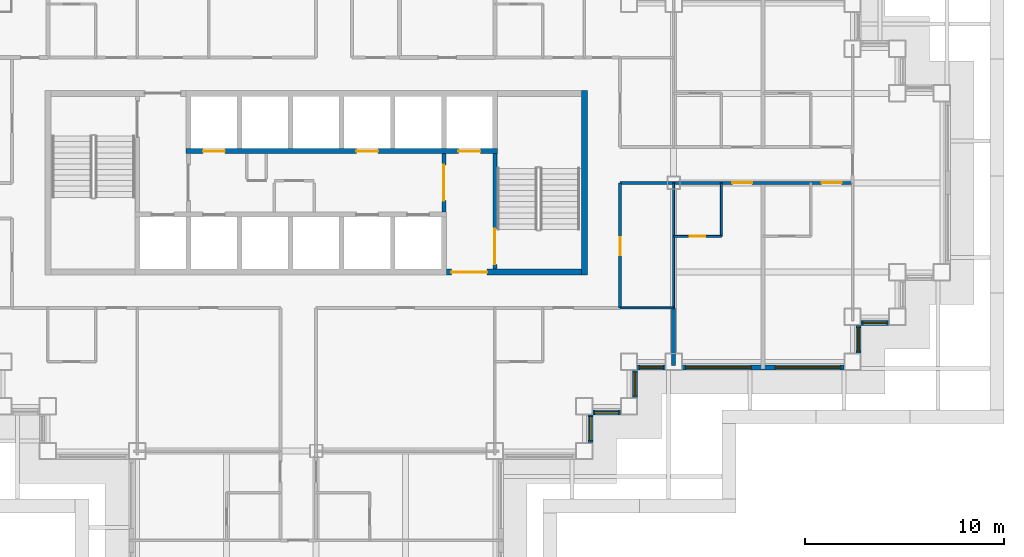
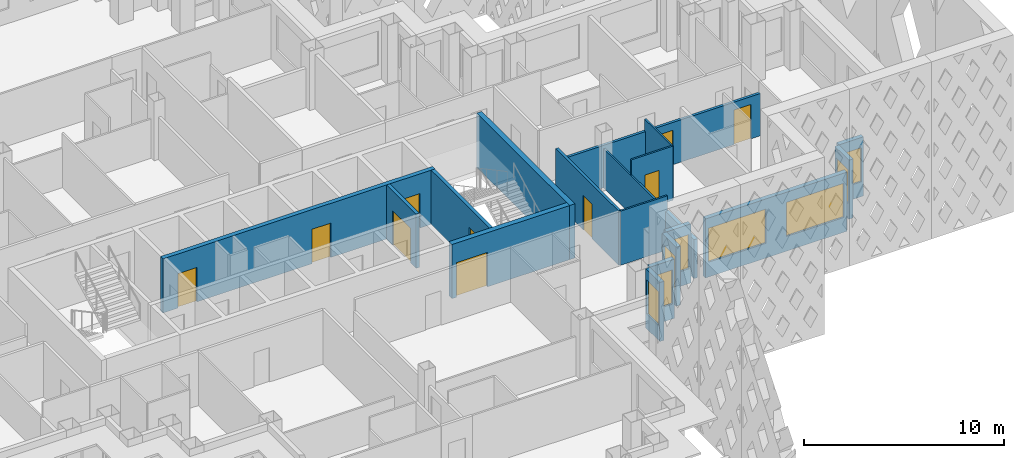
# One storey, part 7 of 21: 19 walls, 10 doors, 8 windows, 18 openings.
"""IFC4 building model written with IfcOpenShell, lengths in metres."""

import ifcopenshell
import ifcopenshell.guid

model = None  # the IFC model being written
_history = None  # IfcOwnerHistory: only IFC2X3 demands one
_inside = {}  # id of a spatial element -> (the spatial element, [elements in it])
_under = {}  # id of a project, library or spatial element -> (it, [spatial elements below it])
_declared = {}  # id of a project -> (the project, [libraries it declares])
_typed = {}  # id of a type object -> (the type object, [elements of that type])
_made_of = {}  # id of a material, layer set ... -> (it, [elements and type objects made of it])


def new_model(schema):
    """Start an empty IFC model of exactly this schema.

    Asked for "IFC4X3", IfcOpenShell would pick the latest addendum, in which some entities
    have other attributes; the version numbers below select the first issue.
    IFC2X3 requires an IfcOwnerHistory on every rooted entity: one is made here for all.
    """
    global model, _history
    if schema == "IFC4X3":
        model = ifcopenshell.file(schema_version=(4, 3, 0, 0))
    else:
        model = ifcopenshell.file(schema=schema)
    _inside.clear()
    _under.clear()
    _declared.clear()
    _typed.clear()
    _made_of.clear()
    _history = None
    if model.schema == "IFC2X3":
        org = make("IfcOrganization", Name="unknown")
        user = make(
            "IfcPersonAndOrganization",
            ThePerson=make("IfcPerson", FamilyName="unknown"),
            TheOrganization=org,
        )
        app = make(
            "IfcApplication",
            ApplicationDeveloper=org,
            Version="unknown",
            ApplicationFullName="unknown",
            ApplicationIdentifier="unknown",
        )
        _history = make(
            "IfcOwnerHistory",
            OwningUser=user,
            OwningApplication=app,
            ChangeAction="ADDED",
            CreationDate=0,
        )
    return model


def make(cls, **values):
    """One entity of the class cls with the attributes given. An attribute that is None is left unset."""
    return model.create_entity(
        cls, **{name: value for name, value in values.items() if value is not None}
    )


def rooted(cls, **values):
    """An entity with a GlobalId (a new one), such as an element, a storey or a relation."""
    return make(cls, GlobalId=ifcopenshell.guid.new(), OwnerHistory=_history, **values)


def si_unit(unit_type, name, prefix=None):
    """IfcSIUnit, for example si_unit("LENGTHUNIT", "METRE", prefix="MILLI")."""
    return make("IfcSIUnit", UnitType=unit_type, Prefix=prefix, Name=name)


def assignment(units):
    """IfcUnitAssignment: the units of a project."""
    return None if units is None else make("IfcUnitAssignment", Units=units)


def point(xyz):
    """IfcCartesianPoint."""
    return None if xyz is None else make("IfcCartesianPoint", Coordinates=xyz)


def direction(xyz):
    """IfcDirection."""
    return None if xyz is None else make("IfcDirection", DirectionRatios=xyz)


def frame(location, z_axis=None, x_axis=None):
    """IfcAxis2Placement3D, a coordinate frame: its origin and axes. An axis left out is left unset."""
    return make(
        "IfcAxis2Placement3D",
        Location=point(location),
        Axis=direction(z_axis),
        RefDirection=direction(x_axis),
    )


def frame_2d(location, x_axis=None):
    """IfcAxis2Placement2D, a coordinate frame in the plane: its origin and x axis."""
    return make(
        "IfcAxis2Placement2D", Location=point(location), RefDirection=direction(x_axis)
    )


def origin():
    """The frame at (0, 0, 0) with its axes left unset."""
    return frame((0.0, 0.0, 0.0))


def place(relative_to, where):
    """IfcLocalPlacement: puts the frame where relative to a parent placement (None: the world)."""
    return make(
        "IfcLocalPlacement", PlacementRelTo=relative_to, RelativePlacement=where
    )


def context(
    kind, dimensions, precision=None, world=None, true_north=None, identifier=None
):
    """IfcGeometricRepresentationContext, for example the 3D "Model" context."""
    return make(
        "IfcGeometricRepresentationContext",
        ContextIdentifier=identifier,
        ContextType=kind,
        CoordinateSpaceDimension=dimensions,
        Precision=precision,
        WorldCoordinateSystem=world,
        TrueNorth=true_north,
    )


def subcontext(parent, identifier, kind, view, scale=None):
    """IfcGeometricRepresentationSubContext, for example "Body" below "Model"."""
    return make(
        "IfcGeometricRepresentationSubContext",
        ContextIdentifier=identifier,
        ContextType=kind,
        ParentContext=parent,
        TargetScale=scale,
        TargetView=view,
    )


def project(units=None, contexts=None):
    """IfcProject with its units and contexts."""
    return rooted(
        "IfcProject",
        Name="project",
        RepresentationContexts=contexts,
        UnitsInContext=assignment(units),
    )


def spatial(cls, under=None, at=None, **own):
    """A site, building, storey or space (cls), placed at a placement, below another one or the project."""
    s = rooted(cls, ObjectPlacement=at, **own)
    if under is not None:
        _under.setdefault(under.id(), (under, []))[1].append(s)
    return s


def profile(cls, at=None, kind="AREA", **sizes):
    """A parametric profile (cls). Its sizes go by their IFC names, for example OverallWidth=200.0."""
    return make(cls, ProfileType=kind, Position=at, **sizes)


def rectangle(**sizes):
    """IfcRectangleProfileDef."""
    return profile("IfcRectangleProfileDef", **sizes)


def extrude(swept, where, along, depth):
    """IfcExtrudedAreaSolid: the profile swept, set in the frame where, extruded along a direction by depth."""
    return make(
        "IfcExtrudedAreaSolid",
        SweptArea=swept,
        Position=where,
        ExtrudedDirection=direction(along),
        Depth=depth,
    )


def shape(context_of_items, identifier, shape_type, items):
    """IfcShapeRepresentation: the items that make up one representation, for example the "Body"."""
    return make(
        "IfcShapeRepresentation",
        ContextOfItems=context_of_items,
        RepresentationIdentifier=identifier,
        RepresentationType=shape_type,
        Items=items,
    )


def material(Name=None, Category=None):
    """IfcMaterial."""
    return make("IfcMaterial", Name=Name, Category=Category)


def layer(
    of_material, thickness, ventilated=None, Name=None, Category=None, Priority=None
):
    """IfcMaterialLayer: one layer of a wall or slab, of a material (None: an air gap)."""
    return make(
        "IfcMaterialLayer",
        Material=of_material,
        LayerThickness=thickness,
        IsVentilated=ventilated,
        Name=Name,
        Category=Category,
        Priority=Priority,
    )


def layer_set(layers, Name=None):
    """IfcMaterialLayerSet."""
    return make("IfcMaterialLayerSet", MaterialLayers=layers, LayerSetName=Name)


def made_of(thing, what):
    """Note that an element or type object is made of a material, layer set ...; save() writes the relation."""
    if what is not None:
        _made_of.setdefault(what.id(), (what, []))[1].append(thing)
    return thing


def type_object(cls, material=None, **own):
    """A type object (cls), such as IfcWallType, which elements share."""
    return made_of(rooted(cls, **own), material)


def element(
    cls,
    number,
    at=None,
    inside=None,
    cuts=None,
    type_object=None,
    material=None,
    context=None,
    identifier="Body",
    shape_type=None,
    held_by="IfcProductDefinitionShape",
    body=None,
    shapes=None,
    **own,
):
    """One element of the class cls, such as IfcWall. Its Tag is "e" and its number.

    at: its placement. inside: the storey or other place that contains it. cuts: it is an
    opening in that element (IfcRelVoidsElement). A single representation is given by context,
    identifier, shape_type and body (its items); several are given by shapes. held_by: the class
    of the entity that holds the representations. save() writes the other relations.
    """
    e = rooted(cls, Tag="e%d" % number, ObjectPlacement=at, **own)
    if body is not None:
        shapes = [shape(context, identifier, shape_type, body)]
    if shapes is not None:
        e.Representation = make(held_by, Representations=shapes)
    if inside is not None:
        _inside.setdefault(inside.id(), (inside, []))[1].append(e)
    if cuts is not None:
        rooted(
            "IfcRelVoidsElement", RelatingBuildingElement=cuts, RelatedOpeningElement=e
        )
    if type_object is not None:
        _typed.setdefault(type_object.id(), (type_object, []))[1].append(e)
    return made_of(e, material)


def fill(opening, filler):
    """IfcRelFillsElement: the door or window that sits in an opening."""
    return rooted(
        "IfcRelFillsElement",
        RelatingOpeningElement=opening,
        RelatedBuildingElement=filler,
    )


def aggregate(whole, parts):
    """IfcRelAggregates: a whole, such as a stair, and the parts it consists of."""
    return rooted("IfcRelAggregates", RelatingObject=whole, RelatedObjects=parts)


def save(model, path):
    """Write the relations noted so far, then the file.

    IfcRelAggregates (storeys below a building ...), IfcRelContainedInSpatialStructure (elements
    in a storey), IfcRelDefinesByType, IfcRelAssociatesMaterial and IfcRelDeclares: one each for
    every whole, place, type object, material and project.
    """
    for whole, parts in _under.values():
        aggregate(whole, parts)
    for where, things in _inside.values():
        rooted(
            "IfcRelContainedInSpatialStructure",
            RelatedElements=things,
            RelatingStructure=where,
        )
    for kind, things in _typed.values():
        rooted("IfcRelDefinesByType", RelatedObjects=things, RelatingType=kind)
    for what, things in _made_of.values():
        rooted("IfcRelAssociatesMaterial", RelatedObjects=things, RelatingMaterial=what)
    for by, libraries in _declared.values():
        rooted("IfcRelDeclares", RelatingContext=by, RelatedDefinitions=libraries)
    model.write(path)


model = new_model("IFC4")

# Units and contexts
model_context = context("Model", 3, precision=1e-05, world=origin(), true_north=direction((0.0, 1.0)))
body_context = subcontext(model_context, "Body", "Model", "MODEL_VIEW")
ifc_project = project(units=[si_unit("LENGTHUNIT", "METRE"), si_unit("AREAUNIT", "SQUARE_METRE"), si_unit("VOLUMEUNIT", "CUBIC_METRE"), si_unit("PLANEANGLEUNIT", "RADIAN"), si_unit("MASSUNIT", "GRAM", prefix="KILO")], contexts=[model_context])

# Site, building, storey
site_placement = place(None, origin())
site = spatial("IfcSite", under=ifc_project, at=site_placement, CompositionType="ELEMENT")
building_placement = place(site_placement, origin())
building = spatial("IfcBuilding", under=site, at=building_placement, Name="Caravel Reach Hotel and Residences", CompositionType="ELEMENT")
storey_placement = place(building_placement, frame((0.0, 0.0, 129.60009765625)))
storey = spatial("IfcBuildingStorey", under=building, at=storey_placement, Name="L32", CompositionType="ELEMENT", Elevation=129.60009765625)

# Wall, opening, door
ifc_material_1 = material(Name="Gypsum board on steel stud", Category="steel")
ifc_layer_1 = layer(ifc_material_1, 0.10009765625)
ifc_layer_set_1 = layer_set([ifc_layer_1], Name="Bathroom pod wall 100 mm")
wall_type_1 = type_object("IfcWallType", Name="Bathroom pod wall 100 mm", PredefinedType="PARTITIONING", material=ifc_layer_set_1)
wall_1_placement = place(storey_placement, frame((49.5, 24.300048828125, 0.0), z_axis=(0.0, 0.0, 1.0), x_axis=(1.0, 0.0, 0.0)))
wall_1 = element("IfcWall", 1, at=wall_1_placement, inside=storey, type_object=wall_type_1, Name="L32 wall w072", PredefinedType="PARTITIONING", context=body_context, shape_type="SweptSolid", body=[
    extrude(rectangle(XDim=2.39990234375, YDim=0.10009765625, at=frame_2d((1.199951171875, 0.0))), origin(), (0.0, 0.0, 1.0), 3.2998046875),
])
opening_1_placement = place(wall_1_placement, frame((0.800048828125, 0.0, 0.0)))
opening_1 = element("IfcOpeningElement", 2, at=opening_1_placement, cuts=wall_1, Name="Opening D32-021", PredefinedType="OPENING", context=body_context, shape_type="SweptSolid", body=[
    extrude(rectangle(XDim=0.800048828125, YDim=2.10009765625, at=frame_2d((0.39990234375, 1.050048828125))), frame((0.0, 0.06005859375, 0.0), z_axis=(0.0, -1.0, 0.0), x_axis=(1.0, 0.0, 0.0)), (0.0, 0.0, 1.0), 0.1201171875),
])
ifc_material_2 = material(Name="Timber and steel door leaf", Category="steel")
door_type_1 = type_object("IfcDoorType", Name="Bathroom door 800 x 2100", OperationType="SINGLE_SWING_LEFT", PredefinedType="DOOR", material=ifc_material_2)
door_1_placement = place(opening_1_placement, origin())
door_1 = element("IfcDoor", 3, at=door_1_placement, inside=storey, type_object=door_type_1, Name="door D32-021", OperationType="SINGLE_SWING_LEFT", OverallHeight=2.10009765625, OverallWidth=0.800048828125, PredefinedType="DOOR", context=body_context, shape_type="SweptSolid", body=[
    extrude(rectangle(XDim=0.800048828125, YDim=2.10009765625, at=frame_2d((0.39990234375, 1.050048828125))), frame((0.0, 0.02490234375, 0.0), z_axis=(0.0, -1.0, 0.0), x_axis=(1.0, 0.0, 0.0)), (0.0, 0.0, 1.0), 0.050048828125),
])
fill(opening_1, door_1)

# Wall
wall_2_placement = place(storey_placement, frame((51.89990234375, 24.300048828125, 0.0), z_axis=(0.0, 0.0, 1.0), x_axis=(0.0, 1.0, 0.0)))
element("IfcWall", 4, at=wall_2_placement, inside=storey, type_object=wall_type_1, Name="L32 wall w093", PredefinedType="PARTITIONING", context=body_context, shape_type="SweptSolid", body=[
    extrude(rectangle(XDim=2.699951171875, YDim=0.10009765625, at=frame_2d((1.35009765625, 0.0))), origin(), (0.0, 0.0, 1.0), 3.2998046875),
])

# Wall, opening, door
ifc_material_3 = material(Name="Concrete C60", Category="concrete")
ifc_layer_2 = layer(ifc_material_3, 0.300048828125)
ifc_layer_set_2 = layer_set([ifc_layer_2], Name="Core wall 300 mm EI 120")
wall_type_2 = type_object("IfcWallType", Name="Core wall 300 mm EI 120", PredefinedType="SHEAR", material=ifc_layer_set_2)
wall_3_placement = place(storey_placement, frame((38.053466796875, 22.5, 0.0), z_axis=(0.0, 0.0, 1.0), x_axis=(1.0, 0.0, 0.0)))
wall_3 = element("IfcWall", 5, at=wall_3_placement, inside=storey, type_object=wall_type_2, Name="L32 core wall S2", PredefinedType="SHEAR", context=body_context, shape_type="SweptSolid", body=[
    extrude(rectangle(XDim=6.796630859375, YDim=0.300048828125, at=frame_2d((3.3984375, 0.0))), origin(), (0.0, 0.0, 1.0), 3.2998046875),
])
opening_2_placement = place(wall_3_placement, frame((0.2607421875, 0.0, 0.0)))
opening_2 = element("IfcOpeningElement", 6, at=opening_2_placement, cuts=wall_3, Name="Opening D32-015", PredefinedType="OPENING", context=body_context, shape_type="SweptSolid", body=[
    extrude(rectangle(XDim=1.800048828125, YDim=2.10009765625, at=frame_2d((0.89990234375, 1.050048828125))), frame((0.0, 0.159912109375, 0.0), z_axis=(0.0, -1.0, 0.0), x_axis=(1.0, 0.0, 0.0)), (0.0, 0.0, 1.0), 0.320068359375),
])
ifc_material_4 = material(Name="Steel fire door leaf", Category="steel")
door_type_2 = type_object("IfcDoorType", Name="Fire lobby door pair 1800 x 2100 EI 90", OperationType="DOUBLE_DOOR_SINGLE_SWING", PredefinedType="DOOR", material=ifc_material_4)
door_2_placement = place(opening_2_placement, origin())
door_2 = element("IfcDoor", 7, at=door_2_placement, inside=storey, type_object=door_type_2, Name="lobby S door pair to corridor", OperationType="DOUBLE_DOOR_SINGLE_SWING", OverallHeight=2.10009765625, OverallWidth=1.800048828125, PredefinedType="DOOR", context=body_context, shape_type="SweptSolid", body=[
    extrude(rectangle(XDim=1.800048828125, YDim=2.10009765625, at=frame_2d((0.89990234375, 1.050048828125))), frame((0.0, 0.02490234375, 0.0), z_axis=(0.0, -1.0, 0.0), x_axis=(1.0, 0.0, 0.0)), (0.0, 0.0, 1.0), 0.050048828125),
])
fill(opening_2, door_2)

# Wall
wall_4_placement = place(storey_placement, frame((45.0, 22.35009765625, 0.0), z_axis=(0.0, 0.0, 1.0), x_axis=(0.0, 1.0, 0.0)))
element("IfcWall", 8, at=wall_4_placement, inside=storey, type_object=wall_type_2, Name="L32 core wall E", PredefinedType="SHEAR", context=body_context, shape_type="SweptSolid", body=[
    extrude(rectangle(XDim=9.2998046875, YDim=0.300048828125, at=frame_2d((4.64990234375, 0.0))), origin(), (0.0, 0.0, 1.0), 3.2998046875),
])

# Wall, openings, doors
ifc_material_5 = material(Name="Gypsum board on steel stud, fire-rated", Category="steel")
ifc_layer_3 = layer(ifc_material_5, 0.14990234375)
ifc_layer_set_3 = layer_set([ifc_layer_3], Name="Corridor wall 150 mm EI 60")
wall_type_3 = type_object("IfcWallType", Name="Corridor wall 150 mm EI 60", PredefinedType="PARTITIONING", material=ifc_layer_set_3)
wall_5_placement = place(storey_placement, frame((46.800048828125, 27.0, 0.0), z_axis=(0.0, 0.0, 1.0), x_axis=(1.0, 0.0, 0.0)))
wall_5 = element("IfcWall", 9, at=wall_5_placement, inside=storey, type_object=wall_type_3, Name="L32 wall w010", PredefinedType="PARTITIONING", context=body_context, shape_type="SweptSolid", body=[
    extrude(rectangle(XDim=11.699951171875, YDim=0.14990234375, at=frame_2d((5.85009765625, 0.0))), origin(), (0.0, 0.0, 1.0), 2.579833984375),
])
opening_3_placement = place(wall_5_placement, frame((5.64990234375, 0.0, 0.0)))
opening_3 = element("IfcOpeningElement", 10, at=opening_3_placement, cuts=wall_5, Name="Opening D32-020", PredefinedType="OPENING", context=body_context, shape_type="SweptSolid", body=[
    extrude(rectangle(XDim=1.0, YDim=2.10009765625, at=frame_2d((0.5, 1.050048828125))), frame((0.0, 0.0849609375, 0.0), z_axis=(0.0, -1.0, 0.0), x_axis=(1.0, 0.0, 0.0)), (0.0, 0.0, 1.0), 0.169921875),
])
opening_4_placement = place(wall_5_placement, frame((10.14990234375, 0.0, 0.0)))
opening_4 = element("IfcOpeningElement", 11, at=opening_4_placement, cuts=wall_5, Name="Opening D32-022", PredefinedType="OPENING", context=body_context, shape_type="SweptSolid", body=[
    extrude(rectangle(XDim=1.0, YDim=2.10009765625, at=frame_2d((0.5, 1.050048828125))), frame((0.0, 0.0849609375, 0.0), z_axis=(0.0, -1.0, 0.0), x_axis=(1.0, 0.0, 0.0)), (0.0, 0.0, 1.0), 0.169921875),
])
ifc_material_6 = material(Name="Steel fire door leaf", Category="steel")
door_type_3 = type_object("IfcDoorType", Name="Guest room door 1000 x 2100 EI 30", OperationType="SINGLE_SWING_LEFT", PredefinedType="DOOR", material=ifc_material_6)
door_3_placement = place(opening_3_placement, origin())
door_3 = element("IfcDoor", 12, at=door_3_placement, inside=storey, type_object=door_type_3, Name="door D32-020", OperationType="SINGLE_SWING_RIGHT", OverallHeight=2.10009765625, OverallWidth=1.0, PredefinedType="DOOR", context=body_context, shape_type="SweptSolid", body=[
    extrude(rectangle(XDim=1.0, YDim=2.10009765625, at=frame_2d((0.5, 1.050048828125))), frame((0.0, 0.02490234375, 0.0), z_axis=(0.0, -1.0, 0.0), x_axis=(1.0, 0.0, 0.0)), (0.0, 0.0, 1.0), 0.050048828125),
])
fill(opening_3, door_3)
door_4_placement = place(opening_4_placement, origin())
door_4 = element("IfcDoor", 13, at=door_4_placement, inside=storey, type_object=door_type_3, Name="door D32-022", OperationType="SINGLE_SWING_RIGHT", OverallHeight=2.10009765625, OverallWidth=1.0, PredefinedType="DOOR", context=body_context, shape_type="SweptSolid", body=[
    extrude(rectangle(XDim=1.0, YDim=2.10009765625, at=frame_2d((0.5, 1.050048828125))), frame((0.0, 0.02490234375, 0.0), z_axis=(0.0, -1.0, 0.0), x_axis=(1.0, 0.0, 0.0)), (0.0, 0.0, 1.0), 0.050048828125),
])
fill(opening_4, door_4)

# Wall, opening, door
wall_6_placement = place(storey_placement, frame((46.800048828125, 20.699951171875, 0.0), z_axis=(0.0, 0.0, 1.0), x_axis=(0.0, 1.0, 0.0)))
wall_6 = element("IfcWall", 14, at=wall_6_placement, inside=storey, type_object=wall_type_3, Name="L32 wall w034", PredefinedType="PARTITIONING", context=body_context, shape_type="SweptSolid", body=[
    extrude(rectangle(XDim=6.300048828125, YDim=0.14990234375, at=frame_2d((3.14990234375, 0.0))), origin(), (0.0, 0.0, 1.0), 3.2998046875),
])
opening_5_placement = place(wall_6_placement, frame((2.64990234375, 0.0, 0.0)))
opening_5 = element("IfcOpeningElement", 15, at=opening_5_placement, cuts=wall_6, Name="Opening D32-058", PredefinedType="OPENING", context=body_context, shape_type="SweptSolid", body=[
    extrude(rectangle(XDim=0.89990234375, YDim=2.10009765625, at=frame_2d((0.449951171875, 1.050048828125))), frame((0.0, 0.0849609375, 0.0), z_axis=(0.0, -1.0, 0.0), x_axis=(1.0, 0.0, 0.0)), (0.0, 0.0, 1.0), 0.169921875),
])
ifc_material_7 = material(Name="Timber and steel door leaf", Category="steel")
door_type_4 = type_object("IfcDoorType", Name="Door 900 x 2100 timber", OperationType="SINGLE_SWING_LEFT", PredefinedType="DOOR", material=ifc_material_7)
door_5_placement = place(opening_5_placement, origin())
door_5 = element("IfcDoor", 16, at=door_5_placement, inside=storey, type_object=door_type_4, Name="door D32-058", OperationType="SINGLE_SWING_LEFT", OverallHeight=2.10009765625, OverallWidth=0.89990234375, PredefinedType="DOOR", context=body_context, shape_type="SweptSolid", body=[
    extrude(rectangle(XDim=0.89990234375, YDim=2.10009765625, at=frame_2d((0.449951171875, 1.050048828125))), frame((0.0, 0.02490234375, 0.0), z_axis=(0.0, -1.0, 0.0), x_axis=(1.0, 0.0, 0.0)), (0.0, 0.0, 1.0), 0.050048828125),
])
fill(opening_5, door_5)

# Wall, opening, window
ifc_material_8 = material(Name="Insulated rainscreen wall, aluminium cladding", Category="aluminium")
ifc_layer_4 = layer(ifc_material_8, 0.25)
ifc_layer_set_4 = layer_set([ifc_layer_4], Name="EW1 Tower rainscreen wall")
wall_type_4 = type_object("IfcWallType", Name="EW1 Tower rainscreen wall", PredefinedType="SOLIDWALL", material=ifc_layer_set_4)
wall_7_placement = place(storey_placement, frame((45.300048828125, 13.925048828125, 0.0), z_axis=(0.0, 0.0, 1.0), x_axis=(0.0, 1.0, 0.0)))
wall_7 = element("IfcWall", 17, at=wall_7_placement, inside=storey, type_object=wall_type_4, Name="External wall L32 E12.1", PredefinedType="SOLIDWALL", context=body_context, shape_type="SweptSolid", body=[
    extrude(rectangle(XDim=1.39990234375, YDim=0.25, at=frame_2d((0.699951171875, 0.0))), origin(), (0.0, 0.0, 1.0), 3.599853515625),
])
opening_6_placement = place(wall_7_placement, frame((0.10009765625, 0.0, 0.89990234375)))
opening_6 = element("IfcOpeningElement", 18, at=opening_6_placement, cuts=wall_7, Name="Opening WN9", PredefinedType="OPENING", context=body_context, shape_type="SweptSolid", body=[
    extrude(rectangle(XDim=1.199951171875, YDim=2.080078125, at=frame_2d((0.60009765625, 1.0400390625))), frame((0.0, 0.135009765625, 0.0), z_axis=(0.0, -1.0, 0.0), x_axis=(1.0, 0.0, 0.0)), (0.0, 0.0, 1.0), 0.27001953125),
])
ifc_material_9 = material(Name="Dark low-e glazing in black aluminium frame", Category="aluminium")
window_type_1 = type_object("IfcWindowType", Name="Hotel suite corner window 1200 x 2080", PartitioningType="SINGLE_PANEL", PredefinedType="WINDOW", material=ifc_material_9)
window_1_placement = place(opening_6_placement, origin())
window_1 = element("IfcWindow", 19, at=window_1_placement, inside=storey, type_object=window_type_1, Name="Window L32 E12.1.1", OverallHeight=2.080078125, OverallWidth=1.199951171875, PartitioningType="SINGLE_PANEL", PredefinedType="WINDOW", context=body_context, shape_type="SweptSolid", body=[
    extrude(rectangle(XDim=1.199951171875, YDim=2.080078125, at=frame_2d((0.60009765625, 1.0400390625))), frame((0.0, 0.030029296875, 0.0), z_axis=(0.0, -1.0, 0.0), x_axis=(1.0, 0.0, 0.0)), (0.0, 0.0, 1.0), 0.06005859375),
])
fill(opening_6, window_1)

wall_8_placement = place(storey_placement, frame((45.425048828125, 15.449951171875, 0.0), z_axis=(0.0, 0.0, 1.0), x_axis=(1.0, 0.0, 0.0)))
wall_8 = element("IfcWall", 20, at=wall_8_placement, inside=storey, type_object=wall_type_4, Name="External wall L32 S13.1", PredefinedType="SOLIDWALL", context=body_context, shape_type="SweptSolid", body=[
    extrude(rectangle(XDim=1.39990234375, YDim=0.25, at=frame_2d((0.699951171875, 0.0))), origin(), (0.0, 0.0, 1.0), 3.599853515625),
])
opening_7_placement = place(wall_8_placement, frame((0.10009765625, 0.0, 0.89990234375)))
opening_7 = element("IfcOpeningElement", 21, at=opening_7_placement, cuts=wall_8, Name="Opening WN9", PredefinedType="OPENING", context=body_context, shape_type="SweptSolid", body=[
    extrude(rectangle(XDim=1.199951171875, YDim=2.080078125, at=frame_2d((0.60009765625, 1.0400390625))), frame((0.0, 0.135009765625, 0.0), z_axis=(0.0, -1.0, 0.0), x_axis=(1.0, 0.0, 0.0)), (0.0, 0.0, 1.0), 0.27001953125),
])
window_2_placement = place(opening_7_placement, origin())
window_2 = element("IfcWindow", 22, at=window_2_placement, inside=storey, type_object=window_type_1, Name="Window L32 S13.1.1", OverallHeight=2.080078125, OverallWidth=1.199951171875, PartitioningType="SINGLE_PANEL", PredefinedType="WINDOW", context=body_context, shape_type="SweptSolid", body=[
    extrude(rectangle(XDim=1.199951171875, YDim=2.080078125, at=frame_2d((0.60009765625, 1.0400390625))), frame((0.0, 0.030029296875, 0.0), z_axis=(0.0, -1.0, 0.0), x_axis=(1.0, 0.0, 0.0)), (0.0, 0.0, 1.0), 0.06005859375),
])
fill(opening_7, window_2)

wall_9_placement = place(storey_placement, frame((47.550048828125, 16.175048828125, 0.0), z_axis=(0.0, 0.0, 1.0), x_axis=(0.0, 1.0, 0.0)))
wall_9 = element("IfcWall", 23, at=wall_9_placement, inside=storey, type_object=wall_type_4, Name="External wall L32 E14.1", PredefinedType="SOLIDWALL", context=body_context, shape_type="SweptSolid", body=[
    extrude(rectangle(XDim=1.39990234375, YDim=0.25, at=frame_2d((0.699951171875, 0.0))), origin(), (0.0, 0.0, 1.0), 3.599853515625),
])
opening_8_placement = place(wall_9_placement, frame((0.10009765625, 0.0, 0.89990234375)))
opening_8 = element("IfcOpeningElement", 24, at=opening_8_placement, cuts=wall_9, Name="Opening WN9", PredefinedType="OPENING", context=body_context, shape_type="SweptSolid", body=[
    extrude(rectangle(XDim=1.199951171875, YDim=2.080078125, at=frame_2d((0.60009765625, 1.0400390625))), frame((0.0, 0.135009765625, 0.0), z_axis=(0.0, -1.0, 0.0), x_axis=(1.0, 0.0, 0.0)), (0.0, 0.0, 1.0), 0.27001953125),
])
window_3_placement = place(opening_8_placement, origin())
window_3 = element("IfcWindow", 25, at=window_3_placement, inside=storey, type_object=window_type_1, Name="Window L32 E14.1.1", OverallHeight=2.080078125, OverallWidth=1.199951171875, PartitioningType="SINGLE_PANEL", PredefinedType="WINDOW", context=body_context, shape_type="SweptSolid", body=[
    extrude(rectangle(XDim=1.199951171875, YDim=2.080078125, at=frame_2d((0.60009765625, 1.0400390625))), frame((0.0, 0.030029296875, 0.0), z_axis=(0.0, -1.0, 0.0), x_axis=(1.0, 0.0, 0.0)), (0.0, 0.0, 1.0), 0.06005859375),
])
fill(opening_8, window_3)

wall_10_placement = place(storey_placement, frame((47.675048828125, 17.699951171875, 0.0), z_axis=(0.0, 0.0, 1.0), x_axis=(1.0, 0.0, 0.0)))
wall_10 = element("IfcWall", 26, at=wall_10_placement, inside=storey, type_object=wall_type_4, Name="External wall L32 S15.1", PredefinedType="SOLIDWALL", context=body_context, shape_type="SweptSolid", body=[
    extrude(rectangle(XDim=1.39990234375, YDim=0.25, at=frame_2d((0.699951171875, 0.0))), origin(), (0.0, 0.0, 1.0), 3.599853515625),
])
opening_9_placement = place(wall_10_placement, frame((0.10009765625, 0.0, 0.89990234375)))
opening_9 = element("IfcOpeningElement", 27, at=opening_9_placement, cuts=wall_10, Name="Opening WN9", PredefinedType="OPENING", context=body_context, shape_type="SweptSolid", body=[
    extrude(rectangle(XDim=1.199951171875, YDim=2.080078125, at=frame_2d((0.60009765625, 1.0400390625))), frame((0.0, 0.135009765625, 0.0), z_axis=(0.0, -1.0, 0.0), x_axis=(1.0, 0.0, 0.0)), (0.0, 0.0, 1.0), 0.27001953125),
])
window_4_placement = place(opening_9_placement, origin())
window_4 = element("IfcWindow", 28, at=window_4_placement, inside=storey, type_object=window_type_1, Name="Window L32 S15.1.1", OverallHeight=2.080078125, OverallWidth=1.199951171875, PartitioningType="SINGLE_PANEL", PredefinedType="WINDOW", context=body_context, shape_type="SweptSolid", body=[
    extrude(rectangle(XDim=1.199951171875, YDim=2.080078125, at=frame_2d((0.60009765625, 1.0400390625))), frame((0.0, 0.030029296875, 0.0), z_axis=(0.0, -1.0, 0.0), x_axis=(1.0, 0.0, 0.0)), (0.0, 0.0, 1.0), 0.06005859375),
])
fill(opening_9, window_4)

# Wall, openings, windows
wall_11_placement = place(storey_placement, frame((49.925048828125, 17.699951171875, 0.0), z_axis=(0.0, 0.0, 1.0), x_axis=(1.0, 0.0, 0.0)))
wall_11 = element("IfcWall", 29, at=wall_11_placement, inside=storey, type_object=wall_type_4, Name="External wall L32 S15.2", PredefinedType="SOLIDWALL", context=body_context, shape_type="SweptSolid", body=[
    extrude(rectangle(XDim=8.14990234375, YDim=0.25, at=frame_2d((4.074951171875, 0.0))), origin(), (0.0, 0.0, 1.0), 3.599853515625),
])
opening_10_placement = place(wall_11_placement, frame((0.175048828125, 0.0, 0.89990234375)))
opening_10 = element("IfcOpeningElement", 30, at=opening_10_placement, cuts=wall_11, Name="Opening WN4", PredefinedType="OPENING", context=body_context, shape_type="SweptSolid", body=[
    extrude(rectangle(XDim=3.300048828125, YDim=2.080078125, at=frame_2d((1.64990234375, 1.0400390625))), frame((0.0, 0.135009765625, 0.0), z_axis=(0.0, -1.0, 0.0), x_axis=(1.0, 0.0, 0.0)), (0.0, 0.0, 1.0), 0.27001953125),
])
opening_11_placement = place(wall_11_placement, frame((4.675048828125, 0.0, 0.89990234375)))
opening_11 = element("IfcOpeningElement", 31, at=opening_11_placement, cuts=wall_11, Name="Opening WN4", PredefinedType="OPENING", context=body_context, shape_type="SweptSolid", body=[
    extrude(rectangle(XDim=3.300048828125, YDim=2.080078125, at=frame_2d((1.64990234375, 1.0400390625))), frame((0.0, 0.135009765625, 0.0), z_axis=(0.0, -1.0, 0.0), x_axis=(1.0, 0.0, 0.0)), (0.0, 0.0, 1.0), 0.27001953125),
])
ifc_material_10 = material(Name="Dark low-e glazing in black aluminium frame", Category="aluminium")
window_type_2 = type_object("IfcWindowType", Name="Hotel guest room window 3300 x 2080", PartitioningType="SINGLE_PANEL", PredefinedType="WINDOW", material=ifc_material_10)
window_5_placement = place(opening_10_placement, origin())
window_5 = element("IfcWindow", 32, at=window_5_placement, inside=storey, type_object=window_type_2, Name="Window L32 S15.2.1", OverallHeight=2.080078125, OverallWidth=3.300048828125, PartitioningType="SINGLE_PANEL", PredefinedType="WINDOW", context=body_context, shape_type="SweptSolid", body=[
    extrude(rectangle(XDim=3.300048828125, YDim=2.080078125, at=frame_2d((1.64990234375, 1.0400390625))), frame((0.0, 0.030029296875, 0.0), z_axis=(0.0, -1.0, 0.0), x_axis=(1.0, 0.0, 0.0)), (0.0, 0.0, 1.0), 0.06005859375),
])
fill(opening_10, window_5)
window_6_placement = place(opening_11_placement, origin())
window_6 = element("IfcWindow", 33, at=window_6_placement, inside=storey, type_object=window_type_2, Name="Window L32 S15.2.2", OverallHeight=2.080078125, OverallWidth=3.300048828125, PartitioningType="SINGLE_PANEL", PredefinedType="WINDOW", context=body_context, shape_type="SweptSolid", body=[
    extrude(rectangle(XDim=3.300048828125, YDim=2.080078125, at=frame_2d((1.64990234375, 1.0400390625))), frame((0.0, 0.030029296875, 0.0), z_axis=(0.0, -1.0, 0.0), x_axis=(1.0, 0.0, 0.0)), (0.0, 0.0, 1.0), 0.06005859375),
])
fill(opening_11, window_6)

# Wall, opening, window
wall_12_placement = place(storey_placement, frame((58.800048828125, 18.425048828125, 0.0), z_axis=(0.0, 0.0, 1.0), x_axis=(0.0, 1.0, 0.0)))
wall_12 = element("IfcWall", 34, at=wall_12_placement, inside=storey, type_object=wall_type_4, Name="External wall L32 E16.1", PredefinedType="SOLIDWALL", context=body_context, shape_type="SweptSolid", body=[
    extrude(rectangle(XDim=1.39990234375, YDim=0.25, at=frame_2d((0.699951171875, 0.0))), origin(), (0.0, 0.0, 1.0), 3.599853515625),
])
opening_12_placement = place(wall_12_placement, frame((0.10009765625, 0.0, 0.89990234375)))
opening_12 = element("IfcOpeningElement", 35, at=opening_12_placement, cuts=wall_12, Name="Opening WN9", PredefinedType="OPENING", context=body_context, shape_type="SweptSolid", body=[
    extrude(rectangle(XDim=1.199951171875, YDim=2.080078125, at=frame_2d((0.60009765625, 1.0400390625))), frame((0.0, 0.135009765625, 0.0), z_axis=(0.0, -1.0, 0.0), x_axis=(1.0, 0.0, 0.0)), (0.0, 0.0, 1.0), 0.27001953125),
])
window_7_placement = place(opening_12_placement, origin())
window_7 = element("IfcWindow", 36, at=window_7_placement, inside=storey, type_object=window_type_1, Name="Window L32 E16.1.1", OverallHeight=2.080078125, OverallWidth=1.199951171875, PartitioningType="SINGLE_PANEL", PredefinedType="WINDOW", context=body_context, shape_type="SweptSolid", body=[
    extrude(rectangle(XDim=1.199951171875, YDim=2.080078125, at=frame_2d((0.60009765625, 1.0400390625))), frame((0.0, 0.030029296875, 0.0), z_axis=(0.0, -1.0, 0.0), x_axis=(1.0, 0.0, 0.0)), (0.0, 0.0, 1.0), 0.06005859375),
])
fill(opening_12, window_7)

wall_13_placement = place(storey_placement, frame((58.925048828125, 19.949951171875, 0.0), z_axis=(0.0, 0.0, 1.0), x_axis=(1.0, 0.0, 0.0)))
wall_13 = element("IfcWall", 37, at=wall_13_placement, inside=storey, type_object=wall_type_4, Name="External wall L32 S17.1", PredefinedType="SOLIDWALL", context=body_context, shape_type="SweptSolid", body=[
    extrude(rectangle(XDim=1.39990234375, YDim=0.25, at=frame_2d((0.699951171875, 0.0))), origin(), (0.0, 0.0, 1.0), 3.599853515625),
])
opening_13_placement = place(wall_13_placement, frame((0.10009765625, 0.0, 0.89990234375)))
opening_13 = element("IfcOpeningElement", 38, at=opening_13_placement, cuts=wall_13, Name="Opening WN9", PredefinedType="OPENING", context=body_context, shape_type="SweptSolid", body=[
    extrude(rectangle(XDim=1.199951171875, YDim=2.080078125, at=frame_2d((0.60009765625, 1.0400390625))), frame((0.0, 0.135009765625, 0.0), z_axis=(0.0, -1.0, 0.0), x_axis=(1.0, 0.0, 0.0)), (0.0, 0.0, 1.0), 0.27001953125),
])
window_8_placement = place(opening_13_placement, origin())
window_8 = element("IfcWindow", 39, at=window_8_placement, inside=storey, type_object=window_type_1, Name="Window L32 S17.1.1", OverallHeight=2.080078125, OverallWidth=1.199951171875, PartitioningType="SINGLE_PANEL", PredefinedType="WINDOW", context=body_context, shape_type="SweptSolid", body=[
    extrude(rectangle(XDim=1.199951171875, YDim=2.080078125, at=frame_2d((0.60009765625, 1.0400390625))), frame((0.0, 0.030029296875, 0.0), z_axis=(0.0, -1.0, 0.0), x_axis=(1.0, 0.0, 0.0)), (0.0, 0.0, 1.0), 0.06005859375),
])
fill(opening_13, window_8)

# Wall, opening, door
ifc_material_11 = material(Name="Autoclaved aerated block wall")
ifc_layer_5 = layer(ifc_material_11, 0.199951171875)
ifc_layer_set_5 = layer_set([ifc_layer_5], Name="Fire lobby wall 200 mm EI 120")
wall_type_5 = type_object("IfcWallType", Name="Fire lobby wall 200 mm EI 120", PredefinedType="PARTITIONING", material=ifc_layer_set_5)
wall_14_placement = place(storey_placement, frame((37.928466796875, 25.52490234375, 0.0), z_axis=(0.0, 0.0, 1.0), x_axis=(0.0, 1.0, 0.0)))
wall_14 = element("IfcWall", 40, at=wall_14_placement, inside=storey, type_object=wall_type_5, Name="L32 lobby E wall", PredefinedType="PARTITIONING", context=body_context, shape_type="SweptSolid", body=[
    extrude(rectangle(XDim=2.9501953125, YDim=0.199951171875, at=frame_2d((1.47509765625, 0.0))), origin(), (0.0, 0.0, 1.0), 3.2998046875),
])
opening_14_placement = place(wall_14_placement, frame((0.574951171875, 0.0, 0.0)))
opening_14 = element("IfcOpeningElement", 41, at=opening_14_placement, cuts=wall_14, Name="Opening D32-013", PredefinedType="OPENING", context=body_context, shape_type="SweptSolid", body=[
    extrude(rectangle(XDim=1.800048828125, YDim=2.10009765625, at=frame_2d((0.89990234375, 1.050048828125))), frame((0.0, 0.10986328125, 0.0), z_axis=(0.0, -1.0, 0.0), x_axis=(1.0, 0.0, 0.0)), (0.0, 0.0, 1.0), 0.219970703125),
])
door_6_placement = place(opening_14_placement, origin())
door_6 = element("IfcDoor", 42, at=door_6_placement, inside=storey, type_object=door_type_2, Name="lobby E door pair", OperationType="DOUBLE_DOOR_SINGLE_SWING", OverallHeight=2.10009765625, OverallWidth=1.800048828125, PredefinedType="DOOR", context=body_context, shape_type="SweptSolid", body=[
    extrude(rectangle(XDim=1.800048828125, YDim=2.10009765625, at=frame_2d((0.89990234375, 1.050048828125))), frame((0.0, 0.02490234375, 0.0), z_axis=(0.0, -1.0, 0.0), x_axis=(1.0, 0.0, 0.0)), (0.0, 0.0, 1.0), 0.050048828125),
])
fill(opening_14, door_6)

# Walls
ifc_material_12 = material(Name="Gypsum board on steel stud", Category="steel")
ifc_layer_6 = layer(ifc_material_12, 0.10009765625)
ifc_layer_set_6 = layer_set([ifc_layer_6], Name="Partition 100 mm")
wall_type_6 = type_object("IfcWallType", Name="Partition 100 mm", PredefinedType="PARTITIONING", material=ifc_layer_set_6)
wall_15_placement = place(storey_placement, frame((46.800048828125, 20.699951171875, 0.0), z_axis=(0.0, 0.0, 1.0), x_axis=(1.0, 0.0, 0.0)))
element("IfcWall", 43, at=wall_15_placement, inside=storey, type_object=wall_type_6, Name="L32 wall w040", PredefinedType="PARTITIONING", context=body_context, shape_type="SweptSolid", body=[
    extrude(rectangle(XDim=2.699951171875, YDim=0.10009765625, at=frame_2d((1.35009765625, 0.0))), origin(), (0.0, 0.0, 1.0), 3.2998046875),
])
wall_16_placement = place(storey_placement, frame((49.5, 20.699951171875, 0.0), z_axis=(0.0, 0.0, 1.0), x_axis=(0.0, 1.0, 0.0)))
element("IfcWall", 44, at=wall_16_placement, inside=storey, type_object=wall_type_6, Name="L32 wall w058", PredefinedType="PARTITIONING", context=body_context, shape_type="SweptSolid", body=[
    extrude(rectangle(XDim=6.300048828125, YDim=0.10009765625, at=frame_2d((3.14990234375, 0.0))), origin(), (0.0, 0.0, 1.0), 2.3798828125),
])
ifc_material_13 = material(Name="Autoclaved aerated block wall")
ifc_layer_7 = layer(ifc_material_13, 0.199951171875)
ifc_layer_set_7 = layer_set([ifc_layer_7], Name="Party wall 200 mm EI 60")
wall_type_7 = type_object("IfcWallType", Name="Party wall 200 mm EI 60", PredefinedType="PARTITIONING", material=ifc_layer_set_7)
wall_17_placement = place(storey_placement, frame((49.5, 17.81005859375, 0.0), z_axis=(0.0, 0.0, 1.0), x_axis=(0.0, 1.0, 0.0)))
element("IfcWall", 45, at=wall_17_placement, inside=storey, type_object=wall_type_7, Name="L32 wall w064", PredefinedType="PARTITIONING", context=body_context, shape_type="SweptSolid", body=[
    extrude(rectangle(XDim=2.889892578125, YDim=0.199951171875, at=frame_2d((1.44482421875, 0.0))), origin(), (0.0, 0.0, 1.0), 2.3798828125),
])

# Wall, openings, doors
ifc_material_14 = material(Name="Concrete C60", Category="concrete")
ifc_layer_8 = layer(ifc_material_14, 0.25)
ifc_layer_set_8 = layer_set([ifc_layer_8], Name="Shaft wall 250 mm EI 120")
wall_type_8 = type_object("IfcWallType", Name="Shaft wall 250 mm EI 120", PredefinedType="SHEAR", material=ifc_layer_set_8)
wall_18_placement = place(storey_placement, frame((24.946533203125, 28.60009765625, 0.0), z_axis=(0.0, 0.0, 1.0), x_axis=(1.0, 0.0, 0.0)))
wall_18 = element("IfcWall", 46, at=wall_18_placement, inside=storey, type_object=wall_type_8, Name="L32 lobby wall N1", PredefinedType="SHEAR", context=body_context, shape_type="SweptSolid", body=[
    extrude(rectangle(XDim=15.678466796875, YDim=0.25, at=frame_2d((7.83935546875, 0.0))), origin(), (0.0, 0.0, 1.0), 3.2998046875),
])
opening_15_placement = place(wall_18_placement, frame((0.860595703125, 0.0, 0.0)))
opening_15 = element("IfcOpeningElement", 47, at=opening_15_placement, cuts=wall_18, Name="Opening D32-004", PredefinedType="OPENING", context=body_context, shape_type="SweptSolid", body=[
    extrude(rectangle(XDim=1.10009765625, YDim=2.10009765625, at=frame_2d((0.550048828125, 1.050048828125))), frame((0.0, 0.135009765625, 0.0), z_axis=(0.0, -1.0, 0.0), x_axis=(1.0, 0.0, 0.0)), (0.0, 0.0, 1.0), 0.27001953125),
])
opening_16_placement = place(wall_18_placement, frame((8.574951171875, 0.0, 0.0)))
opening_16 = element("IfcOpeningElement", 48, at=opening_16_placement, cuts=wall_18, Name="Opening D32-005", PredefinedType="OPENING", context=body_context, shape_type="SweptSolid", body=[
    extrude(rectangle(XDim=1.10009765625, YDim=2.10009765625, at=frame_2d((0.550048828125, 1.050048828125))), frame((0.0, 0.135009765625, 0.0), z_axis=(0.0, -1.0, 0.0), x_axis=(1.0, 0.0, 0.0)), (0.0, 0.0, 1.0), 0.27001953125),
])
opening_17_placement = place(wall_18_placement, frame((13.718017578125, 0.0, 0.0)))
opening_17 = element("IfcOpeningElement", 49, at=opening_17_placement, cuts=wall_18, Name="Opening D32-007", PredefinedType="OPENING", context=body_context, shape_type="SweptSolid", body=[
    extrude(rectangle(XDim=1.10009765625, YDim=2.10009765625, at=frame_2d((0.550048828125, 1.050048828125))), frame((0.0, 0.135009765625, 0.0), z_axis=(0.0, -1.0, 0.0), x_axis=(1.0, 0.0, 0.0)), (0.0, 0.0, 1.0), 0.27001953125),
])
ifc_material_15 = material(Name="Stainless steel landing door", Category="steel")
door_type_5 = type_object("IfcDoorType", Name="Landing door LD 1100 x 2100 sliding", OperationType="DOUBLE_DOOR_SLIDING", PredefinedType="DOOR", material=ifc_material_15)
door_7_placement = place(opening_15_placement, origin())
door_7 = element("IfcDoor", 50, at=door_7_placement, inside=storey, type_object=door_type_5, Name="LP4 landing door", OperationType="DOUBLE_DOOR_SLIDING", OverallHeight=2.10009765625, OverallWidth=1.10009765625, PredefinedType="DOOR", context=body_context, shape_type="SweptSolid", body=[
    extrude(rectangle(XDim=1.10009765625, YDim=2.10009765625, at=frame_2d((0.550048828125, 1.050048828125))), frame((0.0, 0.02490234375, 0.0), z_axis=(0.0, -1.0, 0.0), x_axis=(1.0, 0.0, 0.0)), (0.0, 0.0, 1.0), 0.050048828125),
])
fill(opening_15, door_7)
door_8_placement = place(opening_16_placement, origin())
door_8 = element("IfcDoor", 51, at=door_8_placement, inside=storey, type_object=door_type_5, Name="LP5 landing door", OperationType="DOUBLE_DOOR_SLIDING", OverallHeight=2.10009765625, OverallWidth=1.10009765625, PredefinedType="DOOR", context=body_context, shape_type="SweptSolid", body=[
    extrude(rectangle(XDim=1.10009765625, YDim=2.10009765625, at=frame_2d((0.550048828125, 1.050048828125))), frame((0.0, 0.02490234375, 0.0), z_axis=(0.0, -1.0, 0.0), x_axis=(1.0, 0.0, 0.0)), (0.0, 0.0, 1.0), 0.050048828125),
])
fill(opening_16, door_8)
door_9_placement = place(opening_17_placement, origin())
door_9 = element("IfcDoor", 52, at=door_9_placement, inside=storey, type_object=door_type_5, Name="FL2 landing door", OperationType="DOUBLE_DOOR_SLIDING", OverallHeight=2.10009765625, OverallWidth=1.10009765625, PredefinedType="DOOR", context=body_context, shape_type="SweptSolid", body=[
    extrude(rectangle(XDim=1.10009765625, YDim=2.10009765625, at=frame_2d((0.550048828125, 1.050048828125))), frame((0.0, 0.02490234375, 0.0), z_axis=(0.0, -1.0, 0.0), x_axis=(1.0, 0.0, 0.0)), (0.0, 0.0, 1.0), 0.050048828125),
])
fill(opening_17, door_9)

# Wall, opening, door
ifc_material_16 = material(Name="Concrete C60", Category="concrete")
ifc_layer_9 = layer(ifc_material_16, 0.199951171875)
ifc_layer_set_9 = layer_set([ifc_layer_9], Name="Stair enclosure wall 200 mm EI 120")
wall_type_9 = type_object("IfcWallType", Name="Stair enclosure wall 200 mm EI 120", PredefinedType="SHEAR", material=ifc_layer_set_9)
wall_19_placement = place(storey_placement, frame((40.5, 22.64990234375, 0.0), z_axis=(0.0, 0.0, 1.0), x_axis=(0.0, 1.0, 0.0)))
wall_19 = element("IfcWall", 53, at=wall_19_placement, inside=storey, type_object=wall_type_9, Name="L32 stair B wall", PredefinedType="SHEAR", context=body_context, shape_type="SweptSolid", body=[
    extrude(rectangle(XDim=5.8251953125, YDim=0.199951171875, at=frame_2d((2.91259765625, 0.0))), origin(), (0.0, 0.0, 1.0), 3.2998046875),
])
opening_18_placement = place(wall_19_placement, frame((0.25, 0.0, 0.0)))
opening_18 = element("IfcOpeningElement", 54, at=opening_18_placement, cuts=wall_19, Name="Opening D32-011", PredefinedType="OPENING", context=body_context, shape_type="SweptSolid", body=[
    extrude(rectangle(XDim=1.800048828125, YDim=2.10009765625, at=frame_2d((0.89990234375, 1.050048828125))), frame((0.0, 0.10986328125, 0.0), z_axis=(0.0, -1.0, 0.0), x_axis=(1.0, 0.0, 0.0)), (0.0, 0.0, 1.0), 0.219970703125),
])
ifc_material_17 = material(Name="Steel fire door leaf", Category="steel")
door_type_6 = type_object("IfcDoorType", Name="Stair door pair 1800 x 2100 EI 90", OperationType="DOUBLE_DOOR_SINGLE_SWING", PredefinedType="DOOR", material=ifc_material_17)
door_10_placement = place(opening_18_placement, origin())
door_10 = element("IfcDoor", 55, at=door_10_placement, inside=storey, type_object=door_type_6, Name="stair B door pair", OperationType="DOUBLE_DOOR_SINGLE_SWING", OverallHeight=2.10009765625, OverallWidth=1.800048828125, PredefinedType="DOOR", context=body_context, shape_type="SweptSolid", body=[
    extrude(rectangle(XDim=1.800048828125, YDim=2.10009765625, at=frame_2d((0.89990234375, 1.050048828125))), frame((0.0, 0.02490234375, 0.0), z_axis=(0.0, -1.0, 0.0), x_axis=(1.0, 0.0, 0.0)), (0.0, 0.0, 1.0), 0.050048828125),
])
fill(opening_18, door_10)

save(model, "model.ifc")
